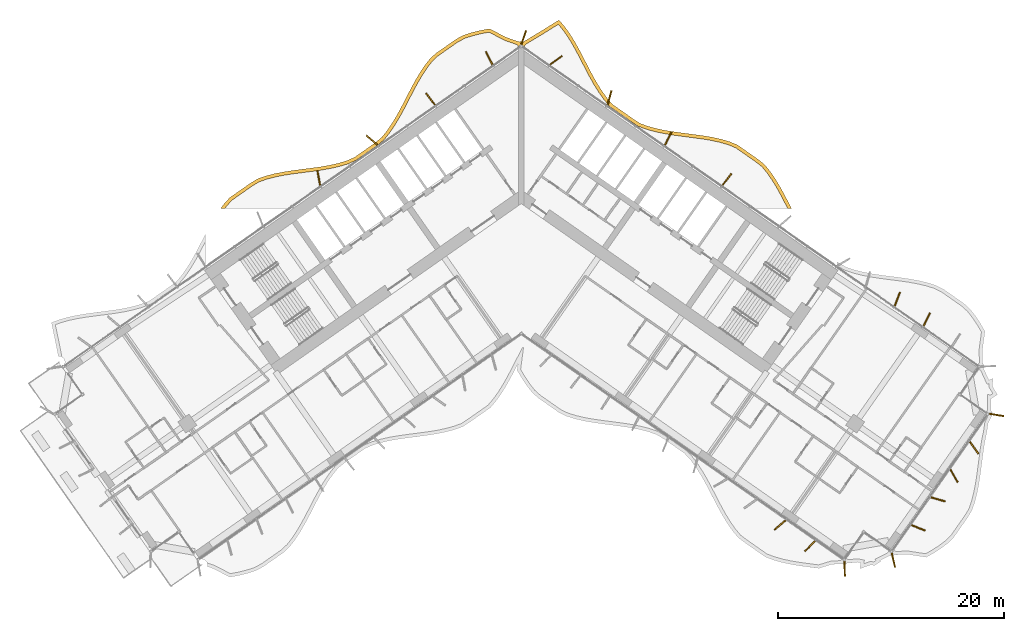
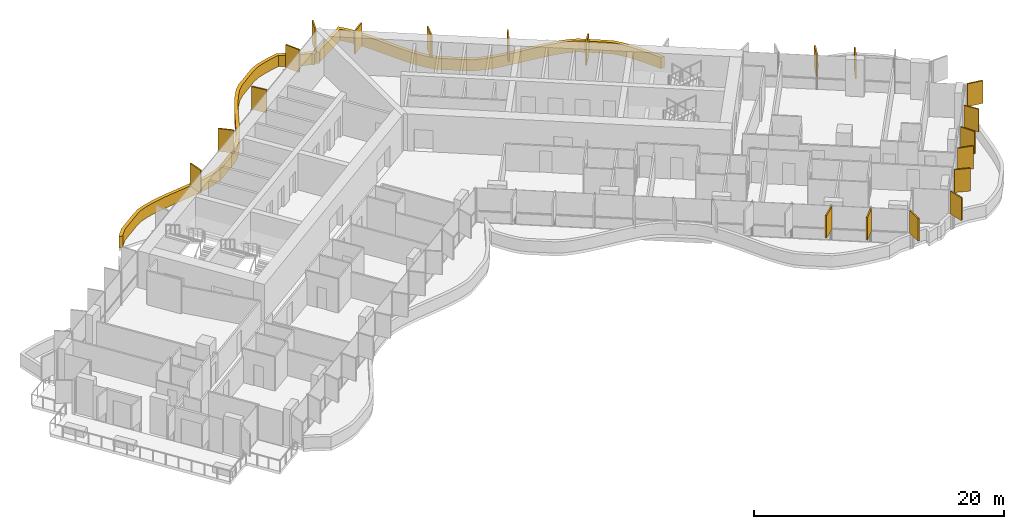
# One storey, part 23 of 25: 21 shading devices.
"""IFC4 building model written with IfcOpenShell, lengths in metres."""

from ifc_helpers import new_model, si_unit, direction, frame, origin, origin_2d, place, context, subcontext, project, spatial, polyline, rectangle, outline, extrude, material, layer, layer_set, type_object, element, save


model = new_model("IFC4")

# Units and contexts
model_context = context("Model", 3, precision=1e-05, world=origin(), true_north=direction((0.0, 1.0)))
body_context = subcontext(model_context, "Body", "Model", "MODEL_VIEW")
ifc_project = project(units=[si_unit("LENGTHUNIT", "METRE"), si_unit("AREAUNIT", "SQUARE_METRE"), si_unit("VOLUMEUNIT", "CUBIC_METRE"), si_unit("PLANEANGLEUNIT", "RADIAN"), si_unit("MASSUNIT", "GRAM", prefix="KILO")], contexts=[model_context])

# Site, building, storey
site_placement = place(None, origin())
site = spatial("IfcSite", under=ifc_project, at=site_placement, CompositionType="ELEMENT")
building_placement = place(site_placement, origin())
building = spatial("IfcBuilding", under=site, at=building_placement, Name="Tel Ilan Convention Tower", CompositionType="ELEMENT")
storey_placement = place(building_placement, frame((0.0, 0.0, 97.699951171875)))
storey = spatial("IfcBuildingStorey", under=building, at=storey_placement, Name="L20", CompositionType="ELEMENT", Elevation=97.699951171875)

# Shading devices
ifc_material_1 = material(Name="Aluminium, bronze anodised", Category="aluminium")
ifc_layer_1 = layer(ifc_material_1, 0.1201171875)
ifc_layer_set_1 = layer_set([ifc_layer_1], Name="FIN BRONZE 1300x120")
shading_device_type_1 = type_object("IfcShadingDeviceType", Name="FIN BRONZE 1300x120", PredefinedType="USERDEFINED", material=ifc_layer_set_1)
for number, where, z_axis, x_axis, name in (
    (1, (18.157958984375, 0.899169921875, 1.10009765625), (0.0, 0.0, 1.0), (0.612600545196, 0.790392669516, 0.0), "FIN"),
    (2, (12.98095703125, 4.52392578125, 1.10009765625), (0.0, 0.0, 1.0), (0.448799180206, 0.893632640321, 0.0), "FIN"),
    (3, (7.796142578125, 8.131103515625, 1.10009765625), (0.0, 0.0, 1.0), (0.268172612768, 0.963370878614, 0.0), "FIN"),
    (4, (3.076904296875, 11.435791015625, 1.10009765625), (0.0, 0.0, 1.0), (0.813552070258, 0.581492071294, 0.0), "FIN"),
    (5, (0.21630859375, 13.450439453125, 1.10009765625), (0.0, 0.0, 1.0), (0.332892691468, 0.942964716183, 0.0), "FIN"),
    (6, (-2.833251953125, 11.62939453125, 1.10009765625), (0.0, 0.0, 1.0), (-0.448799180206, 0.893632640321, 0.0), "FIN"),
    (7, (-8.01025390625, 8.004638671875, 1.10009765625), (0.0, 0.0, 1.0), (-0.612600545196, 0.790392669516, 0.0), "FIN"),
    (8, (-13.182373046875, 4.375, 1.10009765625), (0.0, 0.0, 1.0), (-0.753435896329, 0.657521368568, 0.0), "FIN"),
    (9, (-17.885498046875, 1.0439453125, 1.10009765625), (0.0, 0.0, 1.0), (-0.173648177667, 0.984807753012, 0.0), "FIN"),
    (10, (22.85791015625, -29.610595703125, 1.10009765625), (0.0, 0.0, 1.0), (-0.753435896329, -0.657521368568, 0.0), "FIN"),
    (11, (25.499755859375, -31.468505859375, 1.10009765625), (0.0, 0.0, 1.0), (-0.686241637865, -0.727373641577, 0.0), "FIN"),
    (12, (28.56591796875, -33.4638671875, 1.10009765625), (0.0, 0.0, 1.0), (0.029084718749, -0.999576950082, 0.0), "FIN"),
    (13, (32.867919921875, -32.70556640625, 1.10009765625), (0.0, 0.0, 1.0), (0.221170268371, -0.975235208752, 0.0), "FIN"),
    (14, (35.062255859375, -29.85400390625, 1.10009765625), (0.0, 0.0, 1.0), (0.932883704733, -0.360177724803, 0.0), "FIN"),
    (15, (36.807373046875, -27.33984375, 1.10009765625), (0.0, 0.0, 1.0), (0.963370878614, -0.268172612768, 0.0), "FIN"),
    (16, (38.2314453125, -25.274169921875, 1.10009765625), (0.0, 0.0, 1.0), (0.5, -0.866025403784, 0.0), "FIN"),
    (17, (40.000732421875, -22.779541015625, 1.10009765625), (0.0, 0.0, 1.0), (0.581492071294, -0.813552070258, 0.0), "FIN"),
    (18, (41.98779296875, -19.88525390625, 1.10009765625), (0.0, 0.0, 1.0), (0.986445172547, -0.16409119891, 0.0), "FIN"),
    (19, (35.813232421875, -11.463623046875, 1.10009765625), (0.0, 0.0, 1.0), (0.448799180206, 0.893632640321, 0.0), "FIN"),
    (20, (33.22216796875, -9.656982421875, 1.10009765625), (0.0, 0.0, 1.0), (0.360177724803, 0.932883704733, 0.0), "FIN"),
):
    element("IfcShadingDevice", number, at=place(storey_placement, frame(where, z_axis=z_axis, x_axis=x_axis)), inside=storey, type_object=shading_device_type_1, Name=name, ObjectType="FIN", PredefinedType="USERDEFINED", context=body_context, shape_type="SweptSolid", body=[
        extrude(rectangle(XDim=1.300048828125, YDim=0.1201171875, at=origin_2d()), origin(), (0.0, 0.0, 1.0), 2.219970703125),
    ])
ifc_material_2 = material(Name="Aluminium, bronze anodised", Category="aluminium")
ifc_layer_2 = layer(ifc_material_2, 0.300048828125)
ifc_layer_set_2 = layer_set([ifc_layer_2], Name="LOUVRE BAND 300x1100")
shading_device_type_2 = type_object("IfcShadingDeviceType", Name="LOUVRE BAND 300x1100", PredefinedType="USERDEFINED", material=ifc_layer_set_2)
shading_device_placement = place(storey_placement, origin())
element("IfcShadingDevice", 21, at=shading_device_placement, inside=storey, type_object=shading_device_type_2, Name="LOUVRE BAND 18.02", ObjectType="LOUVRE", PredefinedType="USERDEFINED", context=body_context, shape_type="SweptSolid", body=[
    extrude(outline(polyline([(-1.3642578125, 13.47705078125), (-2.79296875, 14.228271484375), (-3.593017578125, 14.0810546875), (-4.364013671875, 13.89306640625), (-5.099853515625, 13.654541015625), (-5.75732421875, 13.3037109375), (-7.57470703125, 12.031005859375), (-8.11474609375, 11.512939453125), (-8.585693359375, 10.896240234375), (-9.022216796875, 10.230224609375), (-9.431884765625, 9.52587890625), (-9.823486328125, 8.79541015625), (-10.59033203125, 7.311767578125), (-10.985595703125, 6.586669921875), (-11.401123046875, 5.89111328125), (-11.845703125, 5.236572265625), (-12.326416015625, 4.633544921875), (-12.89453125, 4.155517578125), (-14.712158203125, 2.8828125), (-15.398681640625, 2.573974609375), (-16.14404296875, 2.34912109375), (-16.923095703125, 2.172119140625), (-17.727783203125, 2.0322265625), (-18.5498046875, 1.91650390625), (-20.20556640625, 1.70263671875), (-21.02001953125, 1.576171875), (-21.812744140625, 1.4189453125), (-22.57568359375, 1.218994140625), (-23.301513671875, 0.96630859375), (-23.93212890625, 0.577392578125), (-25.749755859375, -0.695068359375), (-26.25927734375, -1.2568359375), (-26.53369140625, -1.631591796875), (-26.161865234375, -1.631591796875), (-26.0263671875, -1.44677734375), (-25.550048828125, -0.921630859375), (-23.767333984375, 0.32666015625), (-23.172119140625, 0.69384765625), (-22.488037109375, 0.931884765625), (-21.74560546875, 1.12646484375), (-20.9677734375, 1.28076171875), (-20.1630859375, 1.405517578125), (-18.510009765625, 1.619140625), (-17.68115234375, 1.73583984375), (-16.864013671875, 1.8779296875), (-16.0673828125, 2.058837890625), (-15.293212890625, 2.292236328125), (-14.563232421875, 2.620849609375), (-12.711669921875, 3.91748046875), (-12.110595703125, 4.42333984375), (-11.60400390625, 5.05859375), (-11.148193359375, 5.729736328125), (-10.724853515625, 6.43798828125), (-10.325439453125, 7.1708984375), (-9.557861328125, 8.65576171875), (-9.169921875, 9.37939453125), (-8.76708984375, 10.072509765625), (-8.3408203125, 10.72265625), (-7.890380859375, 11.3125), (-7.3837890625, 11.798583984375), (-5.60009765625, 13.047607421875), (-4.982177734375, 13.37744140625), (-4.2822265625, 13.604248046875), (-3.5302734375, 13.78759765625), (-2.8408203125, 13.914306640625), (-1.48388671875, 13.200927734375), (-0.362060546875, 12.812255859375), (-0.24609375, 12.646728515625), (0.0, 12.818115234375), (0.24609375, 12.646728515625), (0.38134765625, 12.839599609375), (1.88916015625, 13.747314453125), (3.271728515625, 14.607177734375), (3.593017578125, 14.232666015625), (4.037353515625, 13.614990234375), (4.454345703125, 12.947998046875), (4.8505859375, 12.2421875), (6.0068359375, 10.025390625), (6.4140625, 9.2998046875), (6.84814453125, 8.603759765625), (7.318115234375, 7.94921875), (7.845947265625, 7.3291015625), (9.697021484375, 6.0283203125), (10.3486328125, 5.60009765625), (11.1142578125, 5.323974609375), (11.8935546875, 5.112060546875), (12.69873046875, 4.94677734375), (13.521240234375, 4.815673828125), (15.99755859375, 4.4873046875), (16.79345703125, 4.35302734375), (17.559326171875, 4.18505859375), (18.284423828125, 3.97412109375), (18.94091796875, 3.7060546875), (20.723876953125, 2.457763671875), (21.272216796875, 2.02392578125), (21.729736328125, 1.462646484375), (22.166748046875, 0.83154296875), (22.57763671875, 0.153564453125), (22.97021484375, -0.56005859375), (23.52587890625, -1.631591796875), (23.86328125, -1.631591796875), (23.23486328125, -0.41845703125), (22.837646484375, 0.303466796875), (22.418701171875, 0.99462890625), (21.9697265625, 1.64306640625), (21.484130859375, 2.239013671875), (20.903076171875, 2.698486328125), (19.08544921875, 3.97119140625), (18.38330078125, 4.2578125), (17.63330078125, 4.47607421875), (16.8505859375, 4.647705078125), (16.043212890625, 4.783935546875), (13.564697265625, 5.112548828125), (12.75244140625, 5.241943359375), (11.963134765625, 5.404052734375), (11.20458984375, 5.610107421875), (10.483642578125, 5.8701171875), (9.865478515625, 6.276611328125), (8.050048828125, 7.55224609375), (7.5546875, 8.134033203125), (7.09765625, 8.770751953125), (6.672119140625, 9.452880859375), (6.2705078125, 10.168701171875), (5.1142578125, 12.385498046875), (4.71240234375, 13.100830078125), (4.28662109375, 13.7822265625), (3.8291015625, 14.418212890625), (3.331787109375, 14.997802734375), (1.732666015625, 14.003173828125), (0.168701171875, 13.059326171875), (0.11474609375, 13.09521484375), (0.0, 13.1181640625), (-0.11474609375, 13.09521484375), (-0.168701171875, 13.059326171875), (-1.3642578125, 13.47705078125)])), origin(), (0.0, 0.0, 1.0), 1.10009765625),
])

save(model, "model.ifc")
